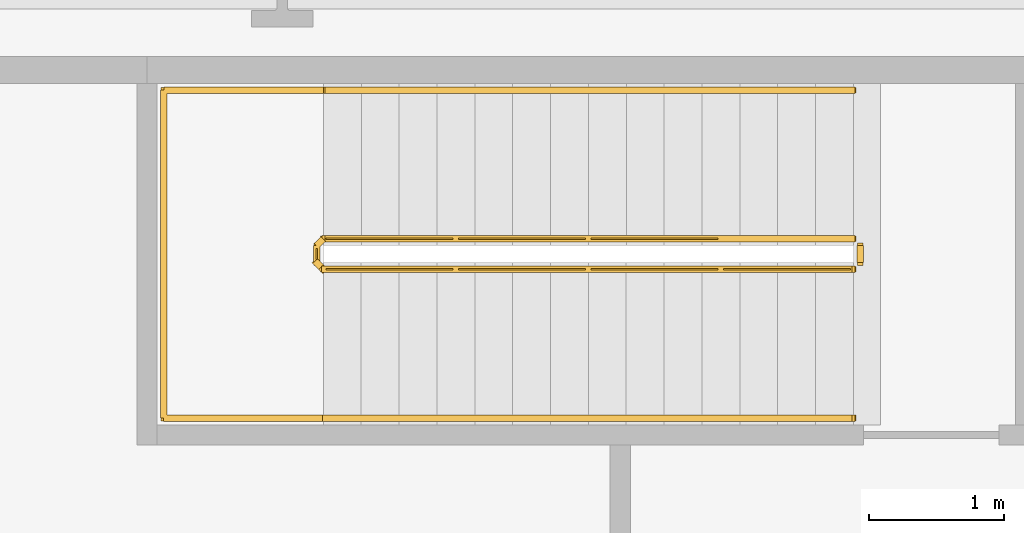
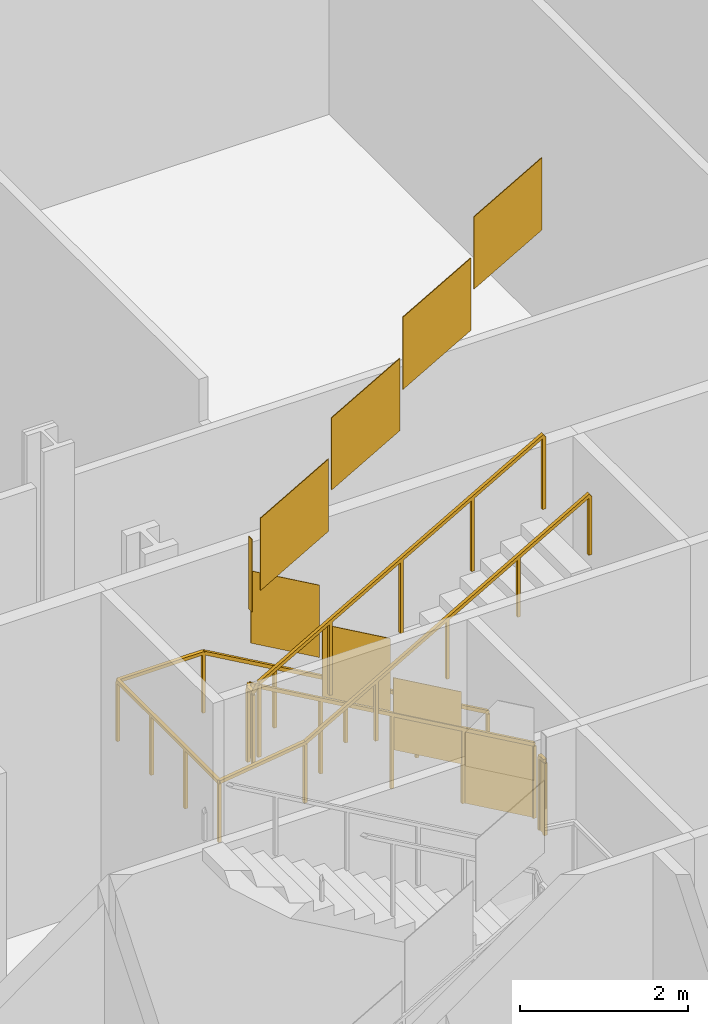
# One storey, part 24 of 26: 3 railings.
"""IFC4 building model written with IfcOpenShell, lengths in metres."""

import ifcopenshell
import ifcopenshell.guid

model = None  # the IFC model being written
_history = None  # IfcOwnerHistory: only IFC2X3 demands one
_inside = {}  # id of a spatial element -> (the spatial element, [elements in it])
_under = {}  # id of a project, library or spatial element -> (it, [spatial elements below it])
_declared = {}  # id of a project -> (the project, [libraries it declares])
_typed = {}  # id of a type object -> (the type object, [elements of that type])
_made_of = {}  # id of a material, layer set ... -> (it, [elements and type objects made of it])


def new_model(schema):
    """Start an empty IFC model of exactly this schema.

    Asked for "IFC4X3", IfcOpenShell would pick the latest addendum, in which some entities
    have other attributes; the version numbers below select the first issue.
    IFC2X3 requires an IfcOwnerHistory on every rooted entity: one is made here for all.
    """
    global model, _history
    if schema == "IFC4X3":
        model = ifcopenshell.file(schema_version=(4, 3, 0, 0))
    else:
        model = ifcopenshell.file(schema=schema)
    _inside.clear()
    _under.clear()
    _declared.clear()
    _typed.clear()
    _made_of.clear()
    _history = None
    if model.schema == "IFC2X3":
        org = make("IfcOrganization", Name="unknown")
        user = make(
            "IfcPersonAndOrganization",
            ThePerson=make("IfcPerson", FamilyName="unknown"),
            TheOrganization=org,
        )
        app = make(
            "IfcApplication",
            ApplicationDeveloper=org,
            Version="unknown",
            ApplicationFullName="unknown",
            ApplicationIdentifier="unknown",
        )
        _history = make(
            "IfcOwnerHistory",
            OwningUser=user,
            OwningApplication=app,
            ChangeAction="ADDED",
            CreationDate=0,
        )
    return model


def make(cls, **values):
    """One entity of the class cls with the attributes given. An attribute that is None is left unset."""
    return model.create_entity(
        cls, **{name: value for name, value in values.items() if value is not None}
    )


def rooted(cls, **values):
    """An entity with a GlobalId (a new one), such as an element, a storey or a relation."""
    return make(cls, GlobalId=ifcopenshell.guid.new(), OwnerHistory=_history, **values)


def si_unit(unit_type, name, prefix=None):
    """IfcSIUnit, for example si_unit("LENGTHUNIT", "METRE", prefix="MILLI")."""
    return make("IfcSIUnit", UnitType=unit_type, Prefix=prefix, Name=name)


def assignment(units):
    """IfcUnitAssignment: the units of a project."""
    return None if units is None else make("IfcUnitAssignment", Units=units)


def point(xyz):
    """IfcCartesianPoint."""
    return None if xyz is None else make("IfcCartesianPoint", Coordinates=xyz)


def direction(xyz):
    """IfcDirection."""
    return None if xyz is None else make("IfcDirection", DirectionRatios=xyz)


def frame(location, z_axis=None, x_axis=None):
    """IfcAxis2Placement3D, a coordinate frame: its origin and axes. An axis left out is left unset."""
    return make(
        "IfcAxis2Placement3D",
        Location=point(location),
        Axis=direction(z_axis),
        RefDirection=direction(x_axis),
    )


def frame_2d(location, x_axis=None):
    """IfcAxis2Placement2D, a coordinate frame in the plane: its origin and x axis."""
    return make(
        "IfcAxis2Placement2D", Location=point(location), RefDirection=direction(x_axis)
    )


def origin():
    """The frame at (0, 0, 0) with its axes left unset."""
    return frame((0.0, 0.0, 0.0))


def origin_2d():
    """The frame at (0, 0) in the plane with its x axis left unset."""
    return frame_2d((0.0, 0.0))


def place(relative_to, where):
    """IfcLocalPlacement: puts the frame where relative to a parent placement (None: the world)."""
    return make(
        "IfcLocalPlacement", PlacementRelTo=relative_to, RelativePlacement=where
    )


def context(
    kind, dimensions, precision=None, world=None, true_north=None, identifier=None
):
    """IfcGeometricRepresentationContext, for example the 3D "Model" context."""
    return make(
        "IfcGeometricRepresentationContext",
        ContextIdentifier=identifier,
        ContextType=kind,
        CoordinateSpaceDimension=dimensions,
        Precision=precision,
        WorldCoordinateSystem=world,
        TrueNorth=true_north,
    )


def subcontext(parent, identifier, kind, view, scale=None):
    """IfcGeometricRepresentationSubContext, for example "Body" below "Model"."""
    return make(
        "IfcGeometricRepresentationSubContext",
        ContextIdentifier=identifier,
        ContextType=kind,
        ParentContext=parent,
        TargetScale=scale,
        TargetView=view,
    )


def project(units=None, contexts=None):
    """IfcProject with its units and contexts."""
    return rooted(
        "IfcProject",
        Name="project",
        RepresentationContexts=contexts,
        UnitsInContext=assignment(units),
    )


def spatial(cls, under=None, at=None, **own):
    """A site, building, storey or space (cls), placed at a placement, below another one or the project."""
    s = rooted(cls, ObjectPlacement=at, **own)
    if under is not None:
        _under.setdefault(under.id(), (under, []))[1].append(s)
    return s


def polyline(points):
    """IfcPolyline through the points."""
    return make("IfcPolyline", Points=[point(p) for p in points])


def profile(cls, at=None, kind="AREA", **sizes):
    """A parametric profile (cls). Its sizes go by their IFC names, for example OverallWidth=200.0."""
    return make(cls, ProfileType=kind, Position=at, **sizes)


def rectangle(**sizes):
    """IfcRectangleProfileDef."""
    return profile("IfcRectangleProfileDef", **sizes)


def outline(outer, holes=None, kind="AREA"):
    """IfcArbitraryClosedProfileDef: a profile drawn as a closed curve; with holes, ...WithVoids."""
    if holes is None:
        return make("IfcArbitraryClosedProfileDef", ProfileType=kind, OuterCurve=outer)
    return make(
        "IfcArbitraryProfileDefWithVoids",
        ProfileType=kind,
        OuterCurve=outer,
        InnerCurves=holes,
    )


def extrude(swept, where, along, depth):
    """IfcExtrudedAreaSolid: the profile swept, set in the frame where, extruded along a direction by depth."""
    return make(
        "IfcExtrudedAreaSolid",
        SweptArea=swept,
        Position=where,
        ExtrudedDirection=direction(along),
        Depth=depth,
    )


def shape(context_of_items, identifier, shape_type, items):
    """IfcShapeRepresentation: the items that make up one representation, for example the "Body"."""
    return make(
        "IfcShapeRepresentation",
        ContextOfItems=context_of_items,
        RepresentationIdentifier=identifier,
        RepresentationType=shape_type,
        Items=items,
    )


def material(Name=None, Category=None):
    """IfcMaterial."""
    return make("IfcMaterial", Name=Name, Category=Category)


def made_of(thing, what):
    """Note that an element or type object is made of a material, layer set ...; save() writes the relation."""
    if what is not None:
        _made_of.setdefault(what.id(), (what, []))[1].append(thing)
    return thing


def type_object(cls, material=None, **own):
    """A type object (cls), such as IfcWallType, which elements share."""
    return made_of(rooted(cls, **own), material)


def element(
    cls,
    number,
    at=None,
    inside=None,
    cuts=None,
    type_object=None,
    material=None,
    context=None,
    identifier="Body",
    shape_type=None,
    held_by="IfcProductDefinitionShape",
    body=None,
    shapes=None,
    **own,
):
    """One element of the class cls, such as IfcWall. Its Tag is "e" and its number.

    at: its placement. inside: the storey or other place that contains it. cuts: it is an
    opening in that element (IfcRelVoidsElement). A single representation is given by context,
    identifier, shape_type and body (its items); several are given by shapes. held_by: the class
    of the entity that holds the representations. save() writes the other relations.
    """
    e = rooted(cls, Tag="e%d" % number, ObjectPlacement=at, **own)
    if body is not None:
        shapes = [shape(context, identifier, shape_type, body)]
    if shapes is not None:
        e.Representation = make(held_by, Representations=shapes)
    if inside is not None:
        _inside.setdefault(inside.id(), (inside, []))[1].append(e)
    if cuts is not None:
        rooted(
            "IfcRelVoidsElement", RelatingBuildingElement=cuts, RelatedOpeningElement=e
        )
    if type_object is not None:
        _typed.setdefault(type_object.id(), (type_object, []))[1].append(e)
    return made_of(e, material)


def aggregate(whole, parts):
    """IfcRelAggregates: a whole, such as a stair, and the parts it consists of."""
    return rooted("IfcRelAggregates", RelatingObject=whole, RelatedObjects=parts)


def save(model, path):
    """Write the relations noted so far, then the file.

    IfcRelAggregates (storeys below a building ...), IfcRelContainedInSpatialStructure (elements
    in a storey), IfcRelDefinesByType, IfcRelAssociatesMaterial and IfcRelDeclares: one each for
    every whole, place, type object, material and project.
    """
    for whole, parts in _under.values():
        aggregate(whole, parts)
    for where, things in _inside.values():
        rooted(
            "IfcRelContainedInSpatialStructure",
            RelatedElements=things,
            RelatingStructure=where,
        )
    for kind, things in _typed.values():
        rooted("IfcRelDefinesByType", RelatedObjects=things, RelatingType=kind)
    for what, things in _made_of.values():
        rooted("IfcRelAssociatesMaterial", RelatedObjects=things, RelatingMaterial=what)
    for by, libraries in _declared.values():
        rooted("IfcRelDeclares", RelatingContext=by, RelatedDefinitions=libraries)
    model.write(path)


model = new_model("IFC4")

# Units and contexts
model_context = context("Model", 3, precision=1e-05, world=origin(), true_north=direction((0.0, 1.0)))
body_context = subcontext(model_context, "Body", "Model", "MODEL_VIEW")
ifc_project = project(units=[si_unit("LENGTHUNIT", "METRE"), si_unit("AREAUNIT", "SQUARE_METRE"), si_unit("VOLUMEUNIT", "CUBIC_METRE"), si_unit("PLANEANGLEUNIT", "RADIAN"), si_unit("MASSUNIT", "GRAM", prefix="KILO")], contexts=[model_context])

# Site, building, storey
site_placement = place(None, origin())
site = spatial("IfcSite", under=ifc_project, at=site_placement, CompositionType="ELEMENT")
building_placement = place(site_placement, origin())
building = spatial("IfcBuilding", under=site, at=building_placement, Name="Cairn Pilgrim Tower", CompositionType="ELEMENT")
storey_placement = place(building_placement, frame((0.0, 0.0, 21.0)))
storey = spatial("IfcBuildingStorey", under=building, at=storey_placement, Name="L03", CompositionType="ELEMENT", Elevation=21.0)

# Railings
ifc_material = material(Name="Painted steel", Category="steel")
railing_type_1 = type_object("IfcRailingType", Name="STAIR GUARD 1100", PredefinedType="GUARDRAIL", material=ifc_material)
railing_1_placement = place(storey_placement, frame((11.425048828125, 8.949951171875, 0.159912109375)))
element("IfcRailing", 1, at=railing_1_placement, inside=storey, type_object=railing_type_1, Name="L03 ST-C stair guard 1", PredefinedType="GUARDRAIL", context=body_context, shape_type="SweptSolid", body=[
    extrude(rectangle(XDim=0.048095703125, YDim=0.048095703125, at=origin_2d()), frame((0.0, 0.0, 1.076171875), z_axis=(-0.86825312469, 0.0, 0.496121468458), x_axis=(0.0, -1.0, 0.0)), (0.0, 0.0, 1.0), 4.514892578125),
    extrude(rectangle(XDim=0.048095703125, YDim=0.048095703125, at=origin_2d()), frame((-3.920166015625, 0.0, 3.31591796875), z_axis=(-0.705375805398, -0.708833529934, 0.0), x_axis=(0.708833529934, -0.705375805398, 0.0)), (0.0, 0.0, 1.0), 0.070556640625),
    extrude(rectangle(XDim=0.048095703125, YDim=0.048095703125, at=origin_2d()), frame((-3.969970703125, -0.050048828125, 3.31591796875), z_axis=(0.0, -1.0, 0.0), x_axis=(1.0, 0.0, 0.0)), (0.0, 0.0, 1.0), 0.125),
    extrude(rectangle(XDim=0.048095703125, YDim=0.048095703125, at=origin_2d()), frame((-3.969970703125, -0.175048828125, 3.31591796875), z_axis=(0.284663109963, -0.284663109963, 0.915387255566), x_axis=(0.707106781187, 0.707106781187, 0.0)), (0.0, 0.0, 1.0), 0.175048828125),
    extrude(rectangle(XDim=0.048095703125, YDim=0.048095703125, at=origin_2d()), frame((-3.920166015625, -0.224853515625, 3.47607421875), z_axis=(0.86825312469, 0.0, 0.496121468458), x_axis=(0.0, 1.0, 0.0)), (0.0, 0.0, 1.0), 4.514892578125),
    extrude(rectangle(XDim=0.0419921875, YDim=0.0419921875, at=origin_2d()), origin(), (0.0, 0.0, 1.0), 1.052001953125),
    extrude(rectangle(XDim=0.0419921875, YDim=0.0419921875, at=origin_2d()), frame((-0.97998046875, 0.0, 0.56005859375)), (0.0, 0.0, 1.0), 1.052001953125),
    extrude(rectangle(XDim=0.0419921875, YDim=0.0419921875, at=origin_2d()), frame((-1.9599609375, 0.0, 1.1201171875)), (0.0, 0.0, 1.0), 1.052001953125),
    extrude(rectangle(XDim=0.0419921875, YDim=0.0419921875, at=origin_2d()), frame((-2.940185546875, 0.0, 1.679931640625)), (0.0, 0.0, 1.0), 1.052001953125),
    extrude(rectangle(XDim=0.0419921875, YDim=0.0419921875, at=origin_2d()), frame((-3.920166015625, 0.0, 2.239990234375)), (0.0, 0.0, 1.0), 1.052001953125),
    extrude(rectangle(XDim=0.0419921875, YDim=0.0419921875, at=origin_2d()), frame((-3.969970703125, -0.050048828125, 2.239990234375)), (0.0, 0.0, 1.0), 1.052001953125),
    extrude(rectangle(XDim=0.0419921875, YDim=0.0419921875, at=origin_2d()), frame((-3.969970703125, -0.175048828125, 2.239990234375)), (0.0, 0.0, 1.0), 1.052001953125),
    extrude(rectangle(XDim=0.0419921875, YDim=0.0419921875, at=origin_2d()), frame((-3.920166015625, -0.224853515625, 2.400146484375)), (0.0, 0.0, 1.0), 1.052001953125),
    extrude(rectangle(XDim=0.0419921875, YDim=0.0419921875, at=origin_2d()), frame((-2.940185546875, -0.224853515625, 2.960205078125)), (0.0, 0.0, 1.0), 1.052001953125),
    extrude(rectangle(XDim=0.0419921875, YDim=0.0419921875, at=origin_2d()), frame((-1.9599609375, -0.224853515625, 3.52001953125)), (0.0, 0.0, 1.0), 1.052001953125),
    extrude(rectangle(XDim=0.0419921875, YDim=0.0419921875, at=origin_2d()), frame((-0.97998046875, -0.224853515625, 4.080078125)), (0.0, 0.0, 1.0), 1.052001953125),
    extrude(rectangle(XDim=0.0419921875, YDim=0.0419921875, at=origin_2d()), frame((0.0, -0.224853515625, 4.64013671875)), (0.0, 0.0, 1.0), 1.052001953125),
    extrude(outline(polyline([(0.02099609375, 0.011962890625), (0.958984375, 0.548095703125), (0.958984375, 1.60009765625), (0.02099609375, 1.06396484375), (0.02099609375, 0.011962890625)])), frame((0.0, -0.005859375, 0.0), z_axis=(0.0, 1.0, 0.0), x_axis=(-1.0, 0.0, 0.0)), (0.0, 0.0, 1.0), 0.011962890625),
    extrude(outline(polyline([(0.02099609375, 0.572021484375), (0.958984375, 1.10791015625), (0.958984375, 2.159912109375), (0.02099609375, 1.6240234375), (0.02099609375, 0.572021484375)])), frame((-0.97998046875, -0.005859375, 0.56005859375), z_axis=(0.0, 1.0, 0.0), x_axis=(-1.0, 0.0, 0.0)), (0.0, 0.0, 1.0), 0.011962890625),
    extrude(outline(polyline([(0.02099609375, 1.132080078125), (0.958984375, 1.66796875), (0.958984375, 2.719970703125), (0.02099609375, 2.18408203125), (0.02099609375, 1.132080078125)])), frame((-1.9599609375, -0.005859375, 1.1201171875), z_axis=(0.0, 1.0, 0.0), x_axis=(-1.0, 0.0, 0.0)), (0.0, 0.0, 1.0), 0.011962890625),
    extrude(outline(polyline([(0.02099609375, 1.69189453125), (0.958984375, 2.22802734375), (0.958984375, 3.280029296875), (0.02099609375, 2.743896484375), (0.02099609375, 1.69189453125)])), frame((-2.940185546875, -0.005859375, 1.679931640625), z_axis=(0.0, 1.0, 0.0), x_axis=(-1.0, 0.0, 0.0)), (0.0, 0.0, 1.0), 0.011962890625),
    extrude(outline(polyline([(0.02099609375, 2.239990234375), (0.10400390625, 2.239990234375), (0.10400390625, 3.2919921875), (0.02099609375, 3.2919921875), (0.02099609375, 2.239990234375)])), frame((-3.9638671875, -0.050048828125, 2.239990234375), z_axis=(-1.0, 0.0, 0.0), x_axis=(0.0, -1.0, 0.0)), (0.0, 0.0, 1.0), 0.011962890625),
    extrude(outline(polyline([(0.02099609375, 2.412109375), (0.958984375, 2.9482421875), (0.958984375, 4.000244140625), (0.02099609375, 3.464111328125), (0.02099609375, 2.412109375)])), frame((-3.920166015625, -0.21875, 2.400146484375), z_axis=(0.0, -1.0, 0.0), x_axis=(1.0, 0.0, 0.0)), (0.0, 0.0, 1.0), 0.011962890625),
    extrude(outline(polyline([(0.02099609375, 2.97216796875), (0.958984375, 3.508056640625), (0.958984375, 4.56005859375), (0.02099609375, 4.024169921875), (0.02099609375, 2.97216796875)])), frame((-2.940185546875, -0.21875, 2.960205078125), z_axis=(0.0, -1.0, 0.0), x_axis=(1.0, 0.0, 0.0)), (0.0, 0.0, 1.0), 0.011962890625),
    extrude(outline(polyline([(0.02099609375, 3.5322265625), (0.958984375, 4.068115234375), (0.958984375, 5.1201171875), (0.02099609375, 4.584228515625), (0.02099609375, 3.5322265625)])), frame((-1.9599609375, -0.21875, 3.52001953125), z_axis=(0.0, -1.0, 0.0), x_axis=(1.0, 0.0, 0.0)), (0.0, 0.0, 1.0), 0.011962890625),
    extrude(outline(polyline([(0.02099609375, 4.092041015625), (0.958984375, 4.628173828125), (0.958984375, 5.68017578125), (0.02099609375, 5.14404296875), (0.02099609375, 4.092041015625)])), frame((-0.97998046875, -0.21875, 4.080078125), z_axis=(0.0, -1.0, 0.0), x_axis=(1.0, 0.0, 0.0)), (0.0, 0.0, 1.0), 0.011962890625),
])
railing_2_placement = place(storey_placement, frame((11.47509765625, 8.89990234375, 0.0)))
element("IfcRailing", 2, at=railing_2_placement, inside=storey, type_object=railing_type_1, Name="L03 ST-C stair guard 2", PredefinedType="GUARDRAIL", context=body_context, shape_type="SweptSolid", body=[
    extrude(rectangle(XDim=0.048095703125, YDim=0.048095703125, at=origin_2d()), frame((0.0, 0.0, 1.076171875), z_axis=(0.0, -1.0, 0.0), x_axis=(1.0, 0.0, 0.0)), (0.0, 0.0, 1.0), 0.125),
    extrude(rectangle(XDim=0.0419921875, YDim=0.0419921875, at=origin_2d()), origin(), (0.0, 0.0, 1.0), 1.052001953125),
    extrude(rectangle(XDim=0.0419921875, YDim=0.0419921875, at=origin_2d()), frame((0.0, -0.125, 0.0)), (0.0, 0.0, 1.0), 1.052001953125),
    extrude(outline(polyline([(0.02099609375, 0.0), (0.10400390625, 0.0), (0.10400390625, 1.052001953125), (0.02099609375, 1.052001953125), (0.02099609375, 0.0)])), frame((0.005859375, 0.0, 0.0), z_axis=(-1.0, 0.0, 0.0), x_axis=(0.0, -1.0, 0.0)), (0.0, 0.0, 1.0), 0.011962890625),
])
railing_type_2 = type_object("IfcRailingType", Name="STAIR HANDRAIL 900", PredefinedType="HANDRAIL", material=ifc_material)
railing_3_placement = place(storey_placement, frame((11.425048828125, 10.050048828125, 0.159912109375)))
element("IfcRailing", 3, at=railing_3_placement, inside=storey, type_object=railing_type_2, Name="L03 ST-C stair handrail 1", PredefinedType="HANDRAIL", context=body_context, shape_type="SweptSolid", body=[
    extrude(rectangle(XDim=0.048095703125, YDim=0.048095703125, at=origin_2d()), frame((0.0, 0.0, 0.8759765625), z_axis=(-0.86825312469, 0.0, 0.496121468458), x_axis=(0.0, -1.0, 0.0)), (0.0, 0.0, 1.0), 4.514892578125),
    extrude(rectangle(XDim=0.048095703125, YDim=0.048095703125, at=origin_2d()), frame((-3.920166015625, 0.0, 3.11572265625), z_axis=(-1.0, 0.0, 0.0), x_axis=(0.0, -1.0, 0.0)), (0.0, 0.0, 1.0), 1.179931640625),
    extrude(rectangle(XDim=0.048095703125, YDim=0.048095703125, at=origin_2d()), frame((-5.10009765625, 0.0, 3.11572265625), z_axis=(0.0, -1.0, 0.0), x_axis=(1.0, 0.0, 0.0)), (0.0, 0.0, 1.0), 2.425048828125),
    extrude(rectangle(XDim=0.048095703125, YDim=0.048095703125, at=origin_2d()), frame((-5.10009765625, -2.425048828125, 3.11572265625), z_axis=(0.990913571068, 0.0, 0.134500166071), x_axis=(0.0, 1.0, 0.0)), (0.0, 0.0, 1.0), 1.190673828125),
    extrude(rectangle(XDim=0.048095703125, YDim=0.048095703125, at=origin_2d()), frame((-3.920166015625, -2.425048828125, 3.27587890625), z_axis=(0.86825312469, 0.0, 0.496121468458), x_axis=(0.0, 1.0, 0.0)), (0.0, 0.0, 1.0), 4.514892578125),
    extrude(rectangle(XDim=0.0419921875, YDim=0.0419921875, at=origin_2d()), origin(), (0.0, 0.0, 1.0), 0.851806640625),
    extrude(rectangle(XDim=0.0419921875, YDim=0.0419921875, at=origin_2d()), frame((-0.97998046875, 0.0, 0.56005859375)), (0.0, 0.0, 1.0), 0.851806640625),
    extrude(rectangle(XDim=0.0419921875, YDim=0.0419921875, at=origin_2d()), frame((-1.9599609375, 0.0, 1.1201171875)), (0.0, 0.0, 1.0), 0.851806640625),
    extrude(rectangle(XDim=0.0419921875, YDim=0.0419921875, at=origin_2d()), frame((-2.940185546875, 0.0, 1.679931640625)), (0.0, 0.0, 1.0), 0.851806640625),
    extrude(rectangle(XDim=0.0419921875, YDim=0.0419921875, at=origin_2d()), frame((-3.920166015625, 0.0, 2.239990234375)), (0.0, 0.0, 1.0), 0.851806640625),
    extrude(rectangle(XDim=0.0419921875, YDim=0.0419921875, at=origin_2d()), frame((-5.10009765625, 0.0, 2.239990234375)), (0.0, 0.0, 1.0), 0.851806640625),
    extrude(rectangle(XDim=0.0419921875, YDim=0.0419921875, at=origin_2d()), frame((-5.10009765625, -0.808349609375, 2.239990234375)), (0.0, 0.0, 1.0), 0.851806640625),
    extrude(rectangle(XDim=0.0419921875, YDim=0.0419921875, at=origin_2d()), frame((-5.10009765625, -1.61669921875, 2.239990234375)), (0.0, 0.0, 1.0), 0.851806640625),
    extrude(rectangle(XDim=0.0419921875, YDim=0.0419921875, at=origin_2d()), frame((-5.10009765625, -2.425048828125, 2.239990234375)), (0.0, 0.0, 1.0), 0.851806640625),
    extrude(rectangle(XDim=0.0419921875, YDim=0.0419921875, at=origin_2d()), frame((-3.920166015625, -2.425048828125, 2.400146484375)), (0.0, 0.0, 1.0), 0.851806640625),
    extrude(rectangle(XDim=0.0419921875, YDim=0.0419921875, at=origin_2d()), frame((-2.940185546875, -2.425048828125, 2.960205078125)), (0.0, 0.0, 1.0), 0.851806640625),
    extrude(rectangle(XDim=0.0419921875, YDim=0.0419921875, at=origin_2d()), frame((-1.9599609375, -2.425048828125, 3.52001953125)), (0.0, 0.0, 1.0), 0.851806640625),
    extrude(rectangle(XDim=0.0419921875, YDim=0.0419921875, at=origin_2d()), frame((-0.97998046875, -2.425048828125, 4.080078125)), (0.0, 0.0, 1.0), 0.851806640625),
    extrude(rectangle(XDim=0.0419921875, YDim=0.0419921875, at=origin_2d()), frame((0.0, -2.425048828125, 4.64013671875)), (0.0, 0.0, 1.0), 0.851806640625),
])

save(model, "model.ifc")
